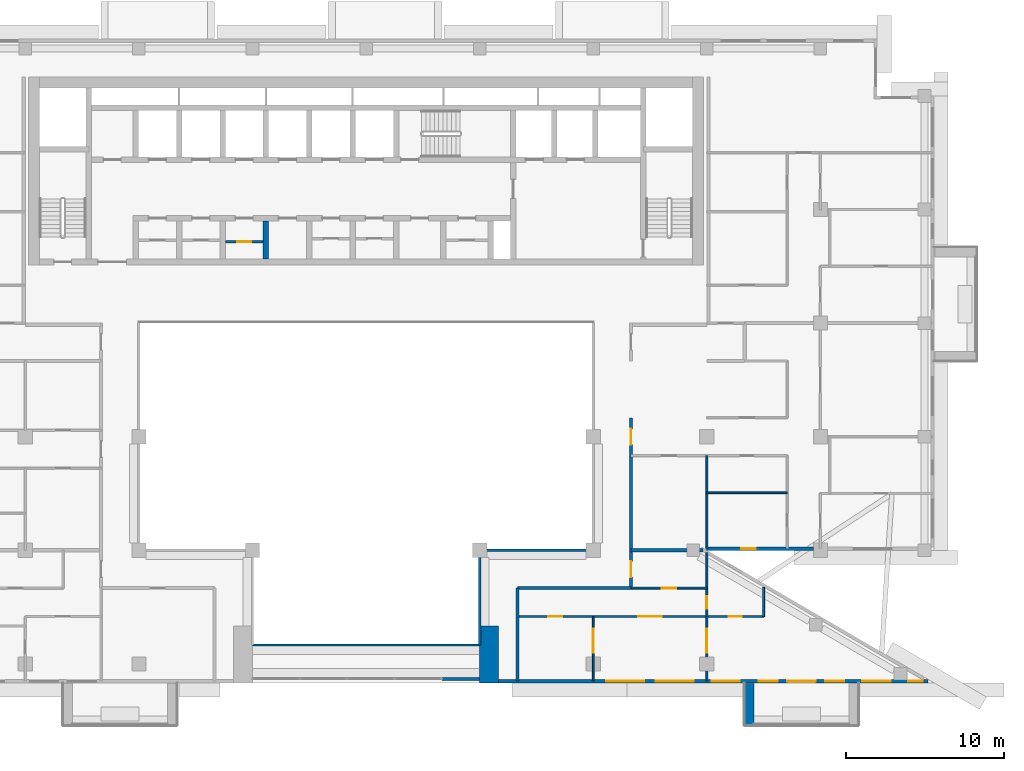
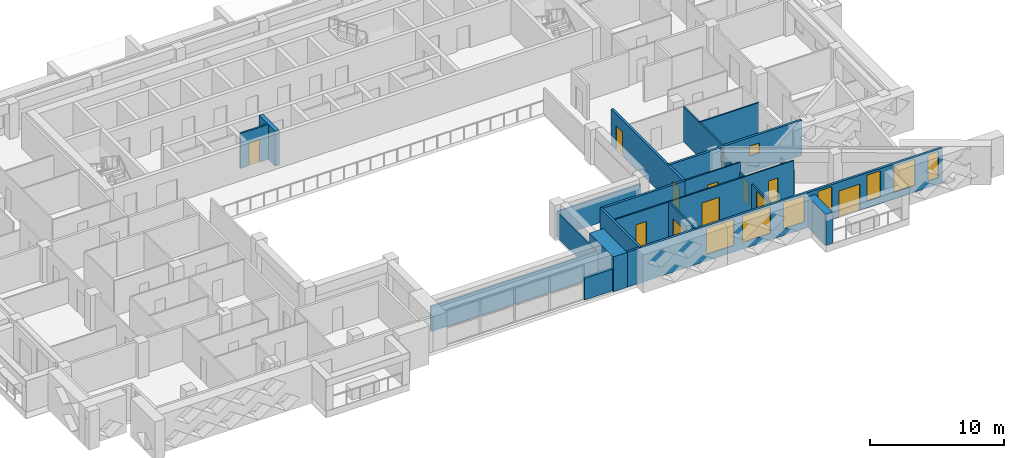
# One storey, part 8 of 20: 21 walls, 11 doors, 8 windows, 19 openings.
"""IFC4 building model written with IfcOpenShell, lengths in metres."""

import ifcopenshell
import ifcopenshell.guid

model = None  # the IFC model being written
_history = None  # IfcOwnerHistory: only IFC2X3 demands one
_inside = {}  # id of a spatial element -> (the spatial element, [elements in it])
_under = {}  # id of a project, library or spatial element -> (it, [spatial elements below it])
_declared = {}  # id of a project -> (the project, [libraries it declares])
_typed = {}  # id of a type object -> (the type object, [elements of that type])
_made_of = {}  # id of a material, layer set ... -> (it, [elements and type objects made of it])


def new_model(schema):
    """Start an empty IFC model of exactly this schema.

    Asked for "IFC4X3", IfcOpenShell would pick the latest addendum, in which some entities
    have other attributes; the version numbers below select the first issue.
    IFC2X3 requires an IfcOwnerHistory on every rooted entity: one is made here for all.
    """
    global model, _history
    if schema == "IFC4X3":
        model = ifcopenshell.file(schema_version=(4, 3, 0, 0))
    else:
        model = ifcopenshell.file(schema=schema)
    _inside.clear()
    _under.clear()
    _declared.clear()
    _typed.clear()
    _made_of.clear()
    _history = None
    if model.schema == "IFC2X3":
        org = make("IfcOrganization", Name="unknown")
        user = make(
            "IfcPersonAndOrganization",
            ThePerson=make("IfcPerson", FamilyName="unknown"),
            TheOrganization=org,
        )
        app = make(
            "IfcApplication",
            ApplicationDeveloper=org,
            Version="unknown",
            ApplicationFullName="unknown",
            ApplicationIdentifier="unknown",
        )
        _history = make(
            "IfcOwnerHistory",
            OwningUser=user,
            OwningApplication=app,
            ChangeAction="ADDED",
            CreationDate=0,
        )
    return model


def make(cls, **values):
    """One entity of the class cls with the attributes given. An attribute that is None is left unset."""
    return model.create_entity(
        cls, **{name: value for name, value in values.items() if value is not None}
    )


def rooted(cls, **values):
    """An entity with a GlobalId (a new one), such as an element, a storey or a relation."""
    return make(cls, GlobalId=ifcopenshell.guid.new(), OwnerHistory=_history, **values)


def si_unit(unit_type, name, prefix=None):
    """IfcSIUnit, for example si_unit("LENGTHUNIT", "METRE", prefix="MILLI")."""
    return make("IfcSIUnit", UnitType=unit_type, Prefix=prefix, Name=name)


def assignment(units):
    """IfcUnitAssignment: the units of a project."""
    return None if units is None else make("IfcUnitAssignment", Units=units)


def point(xyz):
    """IfcCartesianPoint."""
    return None if xyz is None else make("IfcCartesianPoint", Coordinates=xyz)


def direction(xyz):
    """IfcDirection."""
    return None if xyz is None else make("IfcDirection", DirectionRatios=xyz)


def frame(location, z_axis=None, x_axis=None):
    """IfcAxis2Placement3D, a coordinate frame: its origin and axes. An axis left out is left unset."""
    return make(
        "IfcAxis2Placement3D",
        Location=point(location),
        Axis=direction(z_axis),
        RefDirection=direction(x_axis),
    )


def frame_2d(location, x_axis=None):
    """IfcAxis2Placement2D, a coordinate frame in the plane: its origin and x axis."""
    return make(
        "IfcAxis2Placement2D", Location=point(location), RefDirection=direction(x_axis)
    )


def origin():
    """The frame at (0, 0, 0) with its axes left unset."""
    return frame((0.0, 0.0, 0.0))


def place(relative_to, where):
    """IfcLocalPlacement: puts the frame where relative to a parent placement (None: the world)."""
    return make(
        "IfcLocalPlacement", PlacementRelTo=relative_to, RelativePlacement=where
    )


def context(
    kind, dimensions, precision=None, world=None, true_north=None, identifier=None
):
    """IfcGeometricRepresentationContext, for example the 3D "Model" context."""
    return make(
        "IfcGeometricRepresentationContext",
        ContextIdentifier=identifier,
        ContextType=kind,
        CoordinateSpaceDimension=dimensions,
        Precision=precision,
        WorldCoordinateSystem=world,
        TrueNorth=true_north,
    )


def subcontext(parent, identifier, kind, view, scale=None):
    """IfcGeometricRepresentationSubContext, for example "Body" below "Model"."""
    return make(
        "IfcGeometricRepresentationSubContext",
        ContextIdentifier=identifier,
        ContextType=kind,
        ParentContext=parent,
        TargetScale=scale,
        TargetView=view,
    )


def project(units=None, contexts=None):
    """IfcProject with its units and contexts."""
    return rooted(
        "IfcProject",
        Name="project",
        RepresentationContexts=contexts,
        UnitsInContext=assignment(units),
    )


def spatial(cls, under=None, at=None, **own):
    """A site, building, storey or space (cls), placed at a placement, below another one or the project."""
    s = rooted(cls, ObjectPlacement=at, **own)
    if under is not None:
        _under.setdefault(under.id(), (under, []))[1].append(s)
    return s


def profile(cls, at=None, kind="AREA", **sizes):
    """A parametric profile (cls). Its sizes go by their IFC names, for example OverallWidth=200.0."""
    return make(cls, ProfileType=kind, Position=at, **sizes)


def rectangle(**sizes):
    """IfcRectangleProfileDef."""
    return profile("IfcRectangleProfileDef", **sizes)


def extrude(swept, where, along, depth):
    """IfcExtrudedAreaSolid: the profile swept, set in the frame where, extruded along a direction by depth."""
    return make(
        "IfcExtrudedAreaSolid",
        SweptArea=swept,
        Position=where,
        ExtrudedDirection=direction(along),
        Depth=depth,
    )


def shape(context_of_items, identifier, shape_type, items):
    """IfcShapeRepresentation: the items that make up one representation, for example the "Body"."""
    return make(
        "IfcShapeRepresentation",
        ContextOfItems=context_of_items,
        RepresentationIdentifier=identifier,
        RepresentationType=shape_type,
        Items=items,
    )


def material(Name=None, Category=None):
    """IfcMaterial."""
    return make("IfcMaterial", Name=Name, Category=Category)


def layer(
    of_material, thickness, ventilated=None, Name=None, Category=None, Priority=None
):
    """IfcMaterialLayer: one layer of a wall or slab, of a material (None: an air gap)."""
    return make(
        "IfcMaterialLayer",
        Material=of_material,
        LayerThickness=thickness,
        IsVentilated=ventilated,
        Name=Name,
        Category=Category,
        Priority=Priority,
    )


def layer_set(layers, Name=None):
    """IfcMaterialLayerSet."""
    return make("IfcMaterialLayerSet", MaterialLayers=layers, LayerSetName=Name)


def made_of(thing, what):
    """Note that an element or type object is made of a material, layer set ...; save() writes the relation."""
    if what is not None:
        _made_of.setdefault(what.id(), (what, []))[1].append(thing)
    return thing


def type_object(cls, material=None, **own):
    """A type object (cls), such as IfcWallType, which elements share."""
    return made_of(rooted(cls, **own), material)


def element(
    cls,
    number,
    at=None,
    inside=None,
    cuts=None,
    type_object=None,
    material=None,
    context=None,
    identifier="Body",
    shape_type=None,
    held_by="IfcProductDefinitionShape",
    body=None,
    shapes=None,
    **own,
):
    """One element of the class cls, such as IfcWall. Its Tag is "e" and its number.

    at: its placement. inside: the storey or other place that contains it. cuts: it is an
    opening in that element (IfcRelVoidsElement). A single representation is given by context,
    identifier, shape_type and body (its items); several are given by shapes. held_by: the class
    of the entity that holds the representations. save() writes the other relations.
    """
    e = rooted(cls, Tag="e%d" % number, ObjectPlacement=at, **own)
    if body is not None:
        shapes = [shape(context, identifier, shape_type, body)]
    if shapes is not None:
        e.Representation = make(held_by, Representations=shapes)
    if inside is not None:
        _inside.setdefault(inside.id(), (inside, []))[1].append(e)
    if cuts is not None:
        rooted(
            "IfcRelVoidsElement", RelatingBuildingElement=cuts, RelatedOpeningElement=e
        )
    if type_object is not None:
        _typed.setdefault(type_object.id(), (type_object, []))[1].append(e)
    return made_of(e, material)


def fill(opening, filler):
    """IfcRelFillsElement: the door or window that sits in an opening."""
    return rooted(
        "IfcRelFillsElement",
        RelatingOpeningElement=opening,
        RelatedBuildingElement=filler,
    )


def aggregate(whole, parts):
    """IfcRelAggregates: a whole, such as a stair, and the parts it consists of."""
    return rooted("IfcRelAggregates", RelatingObject=whole, RelatedObjects=parts)


def save(model, path):
    """Write the relations noted so far, then the file.

    IfcRelAggregates (storeys below a building ...), IfcRelContainedInSpatialStructure (elements
    in a storey), IfcRelDefinesByType, IfcRelAssociatesMaterial and IfcRelDeclares: one each for
    every whole, place, type object, material and project.
    """
    for whole, parts in _under.values():
        aggregate(whole, parts)
    for where, things in _inside.values():
        rooted(
            "IfcRelContainedInSpatialStructure",
            RelatedElements=things,
            RelatingStructure=where,
        )
    for kind, things in _typed.values():
        rooted("IfcRelDefinesByType", RelatedObjects=things, RelatingType=kind)
    for what, things in _made_of.values():
        rooted("IfcRelAssociatesMaterial", RelatedObjects=things, RelatingMaterial=what)
    for by, libraries in _declared.values():
        rooted("IfcRelDeclares", RelatingContext=by, RelatedDefinitions=libraries)
    model.write(path)


model = new_model("IFC4")

# Units and contexts
model_context = context("Model", 3, precision=1e-05, world=origin(), true_north=direction((0.0, 1.0)))
body_context = subcontext(model_context, "Body", "Model", "MODEL_VIEW")
ifc_project = project(units=[si_unit("LENGTHUNIT", "METRE"), si_unit("AREAUNIT", "SQUARE_METRE"), si_unit("VOLUMEUNIT", "CUBIC_METRE"), si_unit("PLANEANGLEUNIT", "RADIAN"), si_unit("MASSUNIT", "GRAM", prefix="KILO")], contexts=[model_context])

# Site, building, storey
site_placement = place(None, origin())
site = spatial("IfcSite", under=ifc_project, at=site_placement, CompositionType="ELEMENT")
building_placement = place(site_placement, origin())
building = spatial("IfcBuilding", under=site, at=building_placement, Name="Saffron Iwan Residences", CompositionType="ELEMENT")
storey_placement = place(building_placement, frame((0.0, 0.0, 195.5)))
storey = spatial("IfcBuildingStorey", under=building, at=storey_placement, Name="L52", CompositionType="ELEMENT", Elevation=195.5)

# Walls
ifc_material_1 = material(Name="Fire-rated glazing", Category="glass")
ifc_layer_1 = layer(ifc_material_1, 0.14990234375)
ifc_layer_set_1 = layer_set([ifc_layer_1], Name="Fire-rated glazing")
wall_type_1 = type_object("IfcWallType", Name="Atrium glazed screen 150", PredefinedType="SOLIDWALL", material=ifc_layer_set_1)
wall_1_placement = place(storey_placement, frame((43.199951171875, 42.0, 0.0), z_axis=(0.0, 0.0, 1.0), x_axis=(1.0, 0.0, 0.0)))
element("IfcWall", 1, at=wall_1_placement, inside=storey, type_object=wall_type_1, Name="W-L52-SCREEN-h42-43.2", PredefinedType="SOLIDWALL", context=body_context, shape_type="SweptSolid", body=[
    extrude(rectangle(XDim=14.400146484375, YDim=0.14990234375, at=frame_2d((7.2001953125, 0.0))), origin(), (0.0, 0.0, 1.0), 2.300048828125),
])
wall_2_placement = place(storey_placement, frame((57.60009765625, 48.0, 0.0), z_axis=(0.0, 0.0, 1.0), x_axis=(1.0, 0.0, 0.0)))
element("IfcWall", 2, at=wall_2_placement, inside=storey, type_object=wall_type_1, Name="W-L52-SCREEN-h48-57.6", PredefinedType="SOLIDWALL", context=body_context, shape_type="SweptSolid", body=[
    extrude(rectangle(XDim=7.199951171875, YDim=0.14990234375, at=frame_2d((3.60009765625, 0.0))), origin(), (0.0, 0.0, 1.0), 2.300048828125),
])
wall_3_placement = place(storey_placement, frame((57.60009765625, 42.0, 0.0), z_axis=(0.0, 0.0, 1.0), x_axis=(0.0, 1.0, 0.0)))
element("IfcWall", 3, at=wall_3_placement, inside=storey, type_object=wall_type_1, Name="W-L52-SCREEN-v57.6-42", PredefinedType="SOLIDWALL", context=body_context, shape_type="SweptSolid", body=[
    extrude(rectangle(XDim=6.0, YDim=0.14990234375, at=frame_2d((3.0, 0.0))), origin(), (0.0, 0.0, 1.0), 2.300048828125),
])
ifc_material_2 = material(Name="Concrete C50/60 white painted", Category="concrete")
ifc_layer_2 = layer(ifc_material_2, 0.60009765625)
ifc_layer_set_2 = layer_set([ifc_layer_2], Name="Concrete C50/60 white painted")
wall_type_2 = type_object("IfcWallType", Name="BALCONY FIN 600", PredefinedType="SOLIDWALL", material=ifc_layer_set_2)
wall_4_placement = place(storey_placement, frame((74.699951171875, 39.550048828125, 0.0), z_axis=(0.0, 0.0, 1.0), x_axis=(0.0, -1.0, 0.0)))
element("IfcWall", 4, at=wall_4_placement, inside=storey, type_object=wall_type_2, Name="Balcony fin L52 11-2a", PredefinedType="SOLIDWALL", context=body_context, shape_type="SweptSolid", body=[
    extrude(rectangle(XDim=2.650146484375, YDim=0.60009765625, at=frame_2d((1.3251953125, 0.0))), origin(), (0.0, 0.0, 1.0), 2.85009765625),
])

# Wall, opening, door
ifc_material_3 = material(Name="Fire-rated plasterboard partition")
ifc_layer_3 = layer(ifc_material_3, 0.14990234375)
ifc_layer_set_3 = layer_set([ifc_layer_3], Name="Fire-rated plasterboard partition")
wall_type_3 = type_object("IfcWallType", Name="Core partition 150", PredefinedType="PARTITIONING", material=ifc_layer_set_3)
wall_5_placement = place(storey_placement, frame((41.47509765625, 67.5654296875, 0.0), z_axis=(0.0, 0.0, 1.0), x_axis=(1.0, 0.0, 0.0)))
wall_5 = element("IfcWall", 5, at=wall_5_placement, inside=storey, type_object=wall_type_3, Name="Core partition P03", PredefinedType="PARTITIONING", context=body_context, shape_type="SweptSolid", body=[
    extrude(rectangle(XDim=2.39990234375, YDim=0.14990234375, at=frame_2d((1.199951171875, 0.0))), origin(), (0.0, 0.0, 1.0), 3.199951171875),
])
opening_1_placement = place(wall_5_placement, frame((0.75, 0.0, 0.0)))
opening_1 = element("IfcOpeningElement", 6, at=opening_1_placement, cuts=wall_5, Name="Opening SB", PredefinedType="OPENING", context=body_context, shape_type="SweptSolid", body=[
    extrude(rectangle(XDim=0.89990234375, YDim=2.10009765625, at=frame_2d((0.449951171875, 1.050048828125))), frame((0.0, 0.0849609375, 0.0), z_axis=(0.0, -1.0, 0.0), x_axis=(1.0, 0.0, 0.0)), (0.0, 0.0, 1.0), 0.169921875),
])
ifc_material_4 = material(Name="Steel fire door", Category="steel")
door_type_1 = type_object("IfcDoorType", Name="Store door 900", OperationType="NOTDEFINED", PredefinedType="DOOR", material=ifc_material_4)
door_1_placement = place(opening_1_placement, origin())
door_1 = element("IfcDoor", 7, at=door_1_placement, inside=storey, type_object=door_type_1, Name="Door Records store", OperationType="SINGLE_SWING_RIGHT", OverallHeight=2.10009765625, OverallWidth=0.89990234375, PredefinedType="DOOR", context=body_context, shape_type="SweptSolid", body=[
    extrude(rectangle(XDim=0.89990234375, YDim=2.10009765625, at=frame_2d((0.449951171875, 1.050048828125))), frame((0.0, 0.02490234375, 0.0), z_axis=(0.0, -1.0, 0.0), x_axis=(1.0, 0.0, 0.0)), (0.0, 0.0, 1.0), 0.050048828125),
])
fill(opening_1, door_1)

# Wall, opening, window
ifc_material_5 = material(Name="Concrete C40/50", Category="concrete")
ifc_layer_4 = layer(ifc_material_5, 0.199951171875)
ifc_layer_set_4 = layer_set([ifc_layer_4], Name="Concrete C40/50")
wall_type_4 = type_object("IfcWallType", Name="EXTERNAL WALL 200", PredefinedType="SOLIDWALL", material=ifc_layer_set_4)
wall_6_placement = place(storey_placement, frame((71.989990234375, 48.10009765625, 0.0), z_axis=(0.0, 0.0, 1.0), x_axis=(1.0, 0.0, 0.0)))
wall_6 = element("IfcWall", 8, at=wall_6_placement, inside=storey, type_object=wall_type_4, Name="External wall L52 F1.0", PredefinedType="SOLIDWALL", context=body_context, shape_type="SweptSolid", body=[
    extrude(rectangle(XDim=6.760009765625, YDim=0.199951171875, at=frame_2d((3.3798828125, 0.0))), origin(), (0.0, 0.0, 1.0), 3.199951171875),
])
opening_2_placement = place(wall_6_placement, frame((2.204833984375, 0.0, 1.5)))
opening_2 = element("IfcOpeningElement", 9, at=opening_2_placement, cuts=wall_6, Name="Opening W6", PredefinedType="OPENING", context=body_context, shape_type="SweptSolid", body=[
    extrude(rectangle(XDim=0.89990234375, YDim=0.89990234375, at=frame_2d((0.449951171875, 0.449951171875))), frame((0.0, 0.10986328125, 0.0), z_axis=(0.0, -1.0, 0.0), x_axis=(1.0, 0.0, 0.0)), (0.0, 0.0, 1.0), 0.219970703125),
])
ifc_material_6 = material(Name="Clear glass, laminated double glazed", Category="glass")
window_type_1 = type_object("IfcWindowType", Name="WINDOW 900 x 900 BATH", PartitioningType="SINGLE_PANEL", PredefinedType="WINDOW", material=ifc_material_6)
window_1_placement = place(opening_2_placement, origin())
window_1 = element("IfcWindow", 10, at=window_1_placement, inside=storey, type_object=window_type_1, Name="Window L52 F1.0", OverallHeight=0.89990234375, OverallWidth=0.89990234375, PartitioningType="SINGLE_PANEL", PredefinedType="WINDOW", context=body_context, shape_type="SweptSolid", body=[
    extrude(rectangle(XDim=0.89990234375, YDim=0.89990234375, at=frame_2d((0.449951171875, 0.449951171875))), frame((0.0, 0.030029296875, 0.0), z_axis=(0.0, -1.0, 0.0), x_axis=(1.0, 0.0, 0.0)), (0.0, 0.0, 1.0), 0.06005859375),
])
fill(opening_2, window_1)

# Wall, openings, door, windows
wall_7_placement = place(storey_placement, frame((58.800048828125, 39.699951171875, 0.0), z_axis=(0.0, 0.0, 1.0), x_axis=(1.0, 0.0, 0.0)))
wall_7 = element("IfcWall", 11, at=wall_7_placement, inside=storey, type_object=wall_type_4, Name="External wall L52 F11.1", PredefinedType="SOLIDWALL", context=body_context, shape_type="SweptSolid", body=[
    extrude(rectangle(XDim=27.22998046875, YDim=0.199951171875, at=frame_2d((13.614990234375, 0.0))), origin(), (0.0, 0.0, 1.0), 3.199951171875),
])
opening_3_placement = place(wall_7_placement, frame((18.300048828125, 0.0, 0.0)))
opening_3 = element("IfcOpeningElement", 12, at=opening_3_placement, cuts=wall_7, Name="Opening BD1", PredefinedType="OPENING", context=body_context, shape_type="SweptSolid", body=[
    extrude(rectangle(XDim=1.800048828125, YDim=2.39990234375, at=frame_2d((0.89990234375, 1.199951171875))), frame((0.0, 0.10986328125, 0.0), z_axis=(0.0, -1.0, 0.0), x_axis=(1.0, 0.0, 0.0)), (0.0, 0.0, 1.0), 0.219970703125),
])
opening_4_placement = place(wall_7_placement, frame((6.833251953125, 0.0, 0.60009765625)))
opening_4 = element("IfcOpeningElement", 13, at=opening_4_placement, cuts=wall_7, Name="Opening W1", PredefinedType="OPENING", context=body_context, shape_type="SweptSolid", body=[
    extrude(rectangle(XDim=2.39990234375, YDim=2.39990234375, at=frame_2d((1.199951171875, 1.199951171875))), frame((0.0, 0.10986328125, 0.0), z_axis=(0.0, -1.0, 0.0), x_axis=(1.0, 0.0, 0.0)), (0.0, 0.0, 1.0), 0.219970703125),
])
opening_5_placement = place(wall_7_placement, frame((9.966796875, 0.0, 0.60009765625)))
opening_5 = element("IfcOpeningElement", 14, at=opening_5_placement, cuts=wall_7, Name="Opening W1", PredefinedType="OPENING", context=body_context, shape_type="SweptSolid", body=[
    extrude(rectangle(XDim=2.39990234375, YDim=2.39990234375, at=frame_2d((1.199951171875, 1.199951171875))), frame((0.0, 0.10986328125, 0.0), z_axis=(0.0, -1.0, 0.0), x_axis=(1.0, 0.0, 0.0)), (0.0, 0.0, 1.0), 0.219970703125),
])
opening_6_placement = place(wall_7_placement, frame((13.5, 0.0, 0.60009765625)))
opening_6 = element("IfcOpeningElement", 15, at=opening_6_placement, cuts=wall_7, Name="Opening W8", PredefinedType="OPENING", context=body_context, shape_type="SweptSolid", body=[
    extrude(rectangle(XDim=1.800048828125, YDim=2.39990234375, at=frame_2d((0.89990234375, 1.199951171875))), frame((0.0, 0.10986328125, 0.0), z_axis=(0.0, -1.0, 0.0), x_axis=(1.0, 0.0, 0.0)), (0.0, 0.0, 1.0), 0.219970703125),
])
opening_7_placement = place(wall_7_placement, frame((16.5, 0.0, 0.60009765625)))
opening_7 = element("IfcOpeningElement", 16, at=opening_7_placement, cuts=wall_7, Name="Opening W3", PredefinedType="OPENING", context=body_context, shape_type="SweptSolid", body=[
    extrude(rectangle(XDim=1.199951171875, YDim=2.39990234375, at=frame_2d((0.60009765625, 1.199951171875))), frame((0.0, 0.10986328125, 0.0), z_axis=(0.0, -1.0, 0.0), x_axis=(1.0, 0.0, 0.0)), (0.0, 0.0, 1.0), 0.219970703125),
])
opening_8_placement = place(wall_7_placement, frame((20.699951171875, 0.0, 0.60009765625)))
opening_8 = element("IfcOpeningElement", 17, at=opening_8_placement, cuts=wall_7, Name="Opening W3", PredefinedType="OPENING", context=body_context, shape_type="SweptSolid", body=[
    extrude(rectangle(XDim=1.199951171875, YDim=2.39990234375, at=frame_2d((0.60009765625, 1.199951171875))), frame((0.0, 0.10986328125, 0.0), z_axis=(0.0, -1.0, 0.0), x_axis=(1.0, 0.0, 0.0)), (0.0, 0.0, 1.0), 0.219970703125),
])
opening_9_placement = place(wall_7_placement, frame((23.06298828125, 0.0, 0.60009765625)))
opening_9 = element("IfcOpeningElement", 18, at=opening_9_placement, cuts=wall_7, Name="Opening W8", PredefinedType="OPENING", context=body_context, shape_type="SweptSolid", body=[
    extrude(rectangle(XDim=1.800048828125, YDim=2.39990234375, at=frame_2d((0.89990234375, 1.199951171875))), frame((0.0, 0.10986328125, 0.0), z_axis=(0.0, -1.0, 0.0), x_axis=(1.0, 0.0, 0.0)), (0.0, 0.0, 1.0), 0.219970703125),
])
opening_10_placement = place(wall_7_placement, frame((25.978271484375, 0.0, 0.60009765625)))
opening_10 = element("IfcOpeningElement", 19, at=opening_10_placement, cuts=wall_7, Name="Opening W10", PredefinedType="OPENING", context=body_context, shape_type="SweptSolid", body=[
    extrude(rectangle(XDim=0.89990234375, YDim=2.39990234375, at=frame_2d((0.449951171875, 1.199951171875))), frame((0.0, 0.10986328125, 0.0), z_axis=(0.0, -1.0, 0.0), x_axis=(1.0, 0.0, 0.0)), (0.0, 0.0, 1.0), 0.219970703125),
])
door_type_2 = type_object("IfcDoorType", Name="BALCONY DOOR 1800 x 2400", OperationType="DOUBLE_DOOR_SLIDING", PredefinedType="DOOR", material=ifc_material_6)
door_2_placement = place(opening_3_placement, origin())
door_2 = element("IfcDoor", 20, at=door_2_placement, inside=storey, type_object=door_type_2, Name="Balcony door L52 F11.0", OperationType="DOUBLE_DOOR_SLIDING", OverallHeight=2.39990234375, OverallWidth=1.800048828125, PredefinedType="DOOR", context=body_context, shape_type="SweptSolid", body=[
    extrude(rectangle(XDim=1.800048828125, YDim=2.39990234375, at=frame_2d((0.89990234375, 1.199951171875))), frame((0.0, 0.02490234375, 0.0), z_axis=(0.0, -1.0, 0.0), x_axis=(1.0, 0.0, 0.0)), (0.0, 0.0, 1.0), 0.050048828125),
])
fill(opening_3, door_2)
window_type_2 = type_object("IfcWindowType", Name="WINDOW 1200 x 2400", PartitioningType="SINGLE_PANEL", PredefinedType="WINDOW", material=ifc_material_6)
window_2_placement = place(opening_7_placement, origin())
window_2 = element("IfcWindow", 21, at=window_2_placement, inside=storey, type_object=window_type_2, Name="Window L52 F11.4", OverallHeight=2.39990234375, OverallWidth=1.199951171875, PartitioningType="SINGLE_PANEL", PredefinedType="WINDOW", context=body_context, shape_type="SweptSolid", body=[
    extrude(rectangle(XDim=1.199951171875, YDim=2.39990234375, at=frame_2d((0.60009765625, 1.199951171875))), frame((0.0, 0.030029296875, 0.0), z_axis=(0.0, -1.0, 0.0), x_axis=(1.0, 0.0, 0.0)), (0.0, 0.0, 1.0), 0.06005859375),
])
fill(opening_7, window_2)
window_3_placement = place(opening_8_placement, origin())
window_3 = element("IfcWindow", 22, at=window_3_placement, inside=storey, type_object=window_type_2, Name="Window L52 F11.5", OverallHeight=2.39990234375, OverallWidth=1.199951171875, PartitioningType="SINGLE_PANEL", PredefinedType="WINDOW", context=body_context, shape_type="SweptSolid", body=[
    extrude(rectangle(XDim=1.199951171875, YDim=2.39990234375, at=frame_2d((0.60009765625, 1.199951171875))), frame((0.0, 0.030029296875, 0.0), z_axis=(0.0, -1.0, 0.0), x_axis=(1.0, 0.0, 0.0)), (0.0, 0.0, 1.0), 0.06005859375),
])
fill(opening_8, window_3)
window_type_3 = type_object("IfcWindowType", Name="WINDOW 1800 x 2400", PartitioningType="DOUBLE_PANEL_VERTICAL", PredefinedType="WINDOW", material=ifc_material_6)
window_4_placement = place(opening_6_placement, origin())
window_4 = element("IfcWindow", 23, at=window_4_placement, inside=storey, type_object=window_type_3, Name="Window L52 F11.3", OverallHeight=2.39990234375, OverallWidth=1.800048828125, PartitioningType="DOUBLE_PANEL_VERTICAL", PredefinedType="WINDOW", context=body_context, shape_type="SweptSolid", body=[
    extrude(rectangle(XDim=1.800048828125, YDim=2.39990234375, at=frame_2d((0.89990234375, 1.199951171875))), frame((0.0, 0.030029296875, 0.0), z_axis=(0.0, -1.0, 0.0), x_axis=(1.0, 0.0, 0.0)), (0.0, 0.0, 1.0), 0.06005859375),
])
fill(opening_6, window_4)
window_5_placement = place(opening_9_placement, origin())
window_5 = element("IfcWindow", 24, at=window_5_placement, inside=storey, type_object=window_type_3, Name="Window L52 F11.6", OverallHeight=2.39990234375, OverallWidth=1.800048828125, PartitioningType="DOUBLE_PANEL_VERTICAL", PredefinedType="WINDOW", context=body_context, shape_type="SweptSolid", body=[
    extrude(rectangle(XDim=1.800048828125, YDim=2.39990234375, at=frame_2d((0.89990234375, 1.199951171875))), frame((0.0, 0.030029296875, 0.0), z_axis=(0.0, -1.0, 0.0), x_axis=(1.0, 0.0, 0.0)), (0.0, 0.0, 1.0), 0.06005859375),
])
fill(opening_9, window_5)
window_type_4 = type_object("IfcWindowType", Name="WINDOW 2400 x 2400", PartitioningType="DOUBLE_PANEL_VERTICAL", PredefinedType="WINDOW", material=ifc_material_6)
window_6_placement = place(opening_4_placement, origin())
window_6 = element("IfcWindow", 25, at=window_6_placement, inside=storey, type_object=window_type_4, Name="Window L52 F11.1", OverallHeight=2.39990234375, OverallWidth=2.39990234375, PartitioningType="DOUBLE_PANEL_VERTICAL", PredefinedType="WINDOW", context=body_context, shape_type="SweptSolid", body=[
    extrude(rectangle(XDim=2.39990234375, YDim=2.39990234375, at=frame_2d((1.199951171875, 1.199951171875))), frame((0.0, 0.030029296875, 0.0), z_axis=(0.0, -1.0, 0.0), x_axis=(1.0, 0.0, 0.0)), (0.0, 0.0, 1.0), 0.06005859375),
])
fill(opening_4, window_6)
window_7_placement = place(opening_5_placement, origin())
window_7 = element("IfcWindow", 26, at=window_7_placement, inside=storey, type_object=window_type_4, Name="Window L52 F11.2", OverallHeight=2.39990234375, OverallWidth=2.39990234375, PartitioningType="DOUBLE_PANEL_VERTICAL", PredefinedType="WINDOW", context=body_context, shape_type="SweptSolid", body=[
    extrude(rectangle(XDim=2.39990234375, YDim=2.39990234375, at=frame_2d((1.199951171875, 1.199951171875))), frame((0.0, 0.030029296875, 0.0), z_axis=(0.0, -1.0, 0.0), x_axis=(1.0, 0.0, 0.0)), (0.0, 0.0, 1.0), 0.06005859375),
])
fill(opening_5, window_7)
window_type_5 = type_object("IfcWindowType", Name="WINDOW 900 x 2400", PartitioningType="SINGLE_PANEL", PredefinedType="WINDOW", material=ifc_material_6)
window_8_placement = place(opening_10_placement, origin())
window_8 = element("IfcWindow", 27, at=window_8_placement, inside=storey, type_object=window_type_5, Name="Window L52 F11.7", OverallHeight=2.39990234375, OverallWidth=0.89990234375, PartitioningType="SINGLE_PANEL", PredefinedType="WINDOW", context=body_context, shape_type="SweptSolid", body=[
    extrude(rectangle(XDim=0.89990234375, YDim=2.39990234375, at=frame_2d((0.449951171875, 1.199951171875))), frame((0.0, 0.030029296875, 0.0), z_axis=(0.0, -1.0, 0.0), x_axis=(1.0, 0.0, 0.0)), (0.0, 0.0, 1.0), 0.06005859375),
])
fill(opening_10, window_8)

# Walls
wall_8_placement = place(storey_placement, frame((55.199951171875, 39.85009765625, 0.0), z_axis=(0.0, 0.0, 1.0), x_axis=(1.0, 0.0, 0.0)))
element("IfcWall", 28, at=wall_8_placement, inside=storey, type_object=wall_type_4, Name="External wall infill CWB-L52-0", PredefinedType="SOLIDWALL", context=body_context, shape_type="SweptSolid", body=[
    extrude(rectangle(XDim=2.400146484375, YDim=0.199951171875, at=frame_2d((1.2001953125, 0.0))), origin(), (0.0, 0.0, 1.0), 2.0),
])
ifc_material_7 = material(Name="Fire-rated gypsum board wall")
ifc_layer_5 = layer(ifc_material_7, 0.199951171875)
ifc_layer_set_5 = layer_set([ifc_layer_5], Name="Fire-rated gypsum board wall")
wall_type_5 = type_object("IfcWallType", Name="Flat demising wall 200", PredefinedType="SOLIDWALL", material=ifc_layer_set_5)
wall_9_placement = place(storey_placement, frame((67.199951171875, 48.0, 0.0), z_axis=(0.0, 0.0, 1.0), x_axis=(1.0, 0.0, 0.0)))
element("IfcWall", 29, at=wall_9_placement, inside=storey, type_object=wall_type_5, Name="W-L52-DEMISE-h48-67.2", PredefinedType="SOLIDWALL", context=body_context, shape_type="SweptSolid", body=[
    extrude(rectangle(XDim=4.552001953125, YDim=0.199951171875, at=frame_2d((2.27587890625, 0.0))), origin(), (0.0, 0.0, 1.0), 3.199951171875),
])

# Wall, openings, doors
ifc_material_8 = material(Name="Gypsum board partition")
ifc_layer_6 = layer(ifc_material_8, 0.1201171875)
ifc_layer_set_6 = layer_set([ifc_layer_6], Name="Gypsum board partition")
wall_type_6 = type_object("IfcWallType", Name="Flat partition 120", PredefinedType="PARTITIONING", material=ifc_layer_set_6)
wall_10_placement = place(storey_placement, frame((60.0, 43.800048828125, 0.0), z_axis=(0.0, 0.0, 1.0), x_axis=(1.0, 0.0, 0.0)))
wall_10 = element("IfcWall", 30, at=wall_10_placement, inside=storey, type_object=wall_type_6, Name="W-L52-PART-h43.8-60", PredefinedType="PARTITIONING", context=body_context, shape_type="SweptSolid", body=[
    extrude(rectangle(XDim=15.60009765625, YDim=0.1201171875, at=frame_2d((7.800048828125, 0.0))), origin(), (0.0, 0.0, 1.0), 3.199951171875),
])
opening_11_placement = place(wall_10_placement, frame((7.64990234375, 0.0, 0.0)))
opening_11 = element("IfcOpeningElement", 31, at=opening_11_placement, cuts=wall_10, Name="Opening FD4", PredefinedType="OPENING", context=body_context, shape_type="SweptSolid", body=[
    extrude(rectangle(XDim=1.5, YDim=2.10009765625, at=frame_2d((0.75, 1.050048828125))), frame((0.0, 0.070068359375, 0.0), z_axis=(0.0, -1.0, 0.0), x_axis=(1.0, 0.0, 0.0)), (0.0, 0.0, 1.0), 0.14013671875),
])
opening_12_placement = place(wall_10_placement, frame((1.949951171875, 0.0, 0.0)))
opening_12 = element("IfcOpeningElement", 32, at=opening_12_placement, cuts=wall_10, Name="Opening FD2", PredefinedType="OPENING", context=body_context, shape_type="SweptSolid", body=[
    extrude(rectangle(XDim=0.89990234375, YDim=2.10009765625, at=frame_2d((0.449951171875, 1.050048828125))), frame((0.0, 0.070068359375, 0.0), z_axis=(0.0, -1.0, 0.0), x_axis=(1.0, 0.0, 0.0)), (0.0, 0.0, 1.0), 0.14013671875),
])
opening_13_placement = place(wall_10_placement, frame((13.39990234375, 0.0, 0.0)))
opening_13 = element("IfcOpeningElement", 33, at=opening_13_placement, cuts=wall_10, Name="Opening FD3", PredefinedType="OPENING", context=body_context, shape_type="SweptSolid", body=[
    extrude(rectangle(XDim=0.800048828125, YDim=2.10009765625, at=frame_2d((0.39990234375, 1.050048828125))), frame((0.0, 0.070068359375, 0.0), z_axis=(0.0, -1.0, 0.0), x_axis=(1.0, 0.0, 0.0)), (0.0, 0.0, 1.0), 0.14013671875),
])
ifc_material_9 = material(Name="Timber door", Category="wood")
door_type_3 = type_object("IfcDoorType", Name="Bathroom door 800", OperationType="NOTDEFINED", PredefinedType="DOOR", material=ifc_material_9)
door_3_placement = place(opening_13_placement, origin())
door_3 = element("IfcDoor", 34, at=door_3_placement, inside=storey, type_object=door_type_3, Name="Door L52-047", OperationType="SINGLE_SWING_LEFT", OverallHeight=2.10009765625, OverallWidth=0.800048828125, PredefinedType="DOOR", context=body_context, shape_type="SweptSolid", body=[
    extrude(rectangle(XDim=0.800048828125, YDim=2.10009765625, at=frame_2d((0.39990234375, 1.050048828125))), frame((0.0, 0.02490234375, 0.0), z_axis=(0.0, -1.0, 0.0), x_axis=(1.0, 0.0, 0.0)), (0.0, 0.0, 1.0), 0.050048828125),
])
fill(opening_13, door_3)
door_type_4 = type_object("IfcDoorType", Name="Double door 1500", OperationType="NOTDEFINED", PredefinedType="DOOR", material=ifc_material_9)
door_4_placement = place(opening_11_placement, origin())
door_4 = element("IfcDoor", 35, at=door_4_placement, inside=storey, type_object=door_type_4, Name="Door L52-043", OperationType="SINGLE_SWING_LEFT", OverallHeight=2.10009765625, OverallWidth=1.5, PredefinedType="DOOR", context=body_context, shape_type="SweptSolid", body=[
    extrude(rectangle(XDim=1.5, YDim=2.10009765625, at=frame_2d((0.75, 1.050048828125))), frame((0.0, 0.02490234375, 0.0), z_axis=(0.0, -1.0, 0.0), x_axis=(1.0, 0.0, 0.0)), (0.0, 0.0, 1.0), 0.050048828125),
])
fill(opening_11, door_4)
door_type_5 = type_object("IfcDoorType", Name="Flat door 900", OperationType="NOTDEFINED", PredefinedType="DOOR", material=ifc_material_9)
door_5_placement = place(opening_12_placement, origin())
door_5 = element("IfcDoor", 36, at=door_5_placement, inside=storey, type_object=door_type_5, Name="Door L52-044", OperationType="SINGLE_SWING_LEFT", OverallHeight=2.10009765625, OverallWidth=0.89990234375, PredefinedType="DOOR", context=body_context, shape_type="SweptSolid", body=[
    extrude(rectangle(XDim=0.89990234375, YDim=2.10009765625, at=frame_2d((0.449951171875, 1.050048828125))), frame((0.0, 0.02490234375, 0.0), z_axis=(0.0, -1.0, 0.0), x_axis=(1.0, 0.0, 0.0)), (0.0, 0.0, 1.0), 0.050048828125),
])
fill(opening_12, door_5)

# Wall, opening, door
wall_11_placement = place(storey_placement, frame((67.199951171875, 45.60009765625, 0.0), z_axis=(0.0, 0.0, 1.0), x_axis=(1.0, 0.0, 0.0)))
wall_11 = element("IfcWall", 37, at=wall_11_placement, inside=storey, type_object=wall_type_6, Name="W-L52-PART-h45.6-67.2", PredefinedType="PARTITIONING", context=body_context, shape_type="SweptSolid", body=[
    extrude(rectangle(XDim=4.800048828125, YDim=0.1201171875, at=frame_2d((2.39990234375, 0.0))), origin(), (0.0, 0.0, 1.0), 3.199951171875),
])
opening_14_placement = place(wall_11_placement, frame((1.949951171875, 0.0, 0.0)))
opening_14 = element("IfcOpeningElement", 38, at=opening_14_placement, cuts=wall_11, Name="Opening FD2", PredefinedType="OPENING", context=body_context, shape_type="SweptSolid", body=[
    extrude(rectangle(XDim=0.89990234375, YDim=2.10009765625, at=frame_2d((0.449951171875, 1.050048828125))), frame((0.0, 0.070068359375, 0.0), z_axis=(0.0, -1.0, 0.0), x_axis=(1.0, 0.0, 0.0)), (0.0, 0.0, 1.0), 0.14013671875),
])
door_6_placement = place(opening_14_placement, origin())
door_6 = element("IfcDoor", 39, at=door_6_placement, inside=storey, type_object=door_type_5, Name="Door L52-041", OperationType="SINGLE_SWING_LEFT", OverallHeight=2.10009765625, OverallWidth=0.89990234375, PredefinedType="DOOR", context=body_context, shape_type="SweptSolid", body=[
    extrude(rectangle(XDim=0.89990234375, YDim=2.10009765625, at=frame_2d((0.449951171875, 1.050048828125))), frame((0.0, 0.02490234375, 0.0), z_axis=(0.0, -1.0, 0.0), x_axis=(1.0, 0.0, 0.0)), (0.0, 0.0, 1.0), 0.050048828125),
])
fill(opening_14, door_6)

# Wall
wall_12_placement = place(storey_placement, frame((72.0, 51.64990234375, 0.0), z_axis=(0.0, 0.0, 1.0), x_axis=(1.0, 0.0, 0.0)))
element("IfcWall", 40, at=wall_12_placement, inside=storey, type_object=wall_type_6, Name="W-L52-PART-h51.65-72", PredefinedType="PARTITIONING", context=body_context, shape_type="SweptSolid", body=[
    extrude(rectangle(XDim=5.10009765625, YDim=0.1201171875, at=frame_2d((2.550048828125, 0.0))), origin(), (0.0, 0.0, 1.0), 3.199951171875),
])

# Wall, opening, door
wall_13_placement = place(storey_placement, frame((64.800048828125, 39.72509765625, 0.0), z_axis=(0.0, 0.0, 1.0), x_axis=(0.0, 1.0, 0.0)))
wall_13 = element("IfcWall", 41, at=wall_13_placement, inside=storey, type_object=wall_type_6, Name="W-L52-PART-v64.8-39.725", PredefinedType="PARTITIONING", context=body_context, shape_type="SweptSolid", body=[
    extrude(rectangle(XDim=4.074951171875, YDim=0.1201171875, at=frame_2d((2.03759765625, 0.0))), origin(), (0.0, 0.0, 1.0), 3.199951171875),
])
opening_15_placement = place(wall_13_placement, frame((1.78759765625, 0.0, 0.0)))
opening_15 = element("IfcOpeningElement", 42, at=opening_15_placement, cuts=wall_13, Name="Opening FD4", PredefinedType="OPENING", context=body_context, shape_type="SweptSolid", body=[
    extrude(rectangle(XDim=1.5, YDim=2.10009765625, at=frame_2d((0.75, 1.050048828125))), frame((0.0, 0.070068359375, 0.0), z_axis=(0.0, -1.0, 0.0), x_axis=(1.0, 0.0, 0.0)), (0.0, 0.0, 1.0), 0.14013671875),
])
door_7_placement = place(opening_15_placement, origin())
door_7 = element("IfcDoor", 43, at=door_7_placement, inside=storey, type_object=door_type_4, Name="Door L52-040", OperationType="SINGLE_SWING_RIGHT", OverallHeight=2.10009765625, OverallWidth=1.5, PredefinedType="DOOR", context=body_context, shape_type="SweptSolid", body=[
    extrude(rectangle(XDim=1.5, YDim=2.10009765625, at=frame_2d((0.75, 1.050048828125))), frame((0.0, 0.02490234375, 0.0), z_axis=(0.0, -1.0, 0.0), x_axis=(1.0, 0.0, 0.0)), (0.0, 0.0, 1.0), 0.050048828125),
])
fill(opening_15, door_7)

# Wall, openings, doors
wall_14_placement = place(storey_placement, frame((72.0, 39.72509765625, 0.0), z_axis=(0.0, 0.0, 1.0), x_axis=(0.0, 1.0, 0.0)))
wall_14 = element("IfcWall", 44, at=wall_14_placement, inside=storey, type_object=wall_type_6, Name="W-L52-PART-v72-39.725", PredefinedType="PARTITIONING", context=body_context, shape_type="SweptSolid", body=[
    extrude(rectangle(XDim=8.1298828125, YDim=0.1201171875, at=frame_2d((4.06494140625, 0.0))), origin(), (0.0, 0.0, 1.0), 2.300048828125),
])
opening_16_placement = place(wall_14_placement, frame((1.78759765625, 0.0, 0.0)))
opening_16 = element("IfcOpeningElement", 45, at=opening_16_placement, cuts=wall_14, Name="Opening FD4", PredefinedType="OPENING", context=body_context, shape_type="SweptSolid", body=[
    extrude(rectangle(XDim=1.5, YDim=2.10009765625, at=frame_2d((0.75, 1.050048828125))), frame((0.0, 0.070068359375, 0.0), z_axis=(0.0, -1.0, 0.0), x_axis=(1.0, 0.0, 0.0)), (0.0, 0.0, 1.0), 0.14013671875),
])
opening_17_placement = place(wall_14_placement, frame((4.574951171875, 0.0, 0.0)))
opening_17 = element("IfcOpeningElement", 46, at=opening_17_placement, cuts=wall_14, Name="Opening FD3", PredefinedType="OPENING", context=body_context, shape_type="SweptSolid", body=[
    extrude(rectangle(XDim=0.800048828125, YDim=2.10009765625, at=frame_2d((0.39990234375, 1.050048828125))), frame((0.0, 0.070068359375, 0.0), z_axis=(0.0, -1.0, 0.0), x_axis=(1.0, 0.0, 0.0)), (0.0, 0.0, 1.0), 0.14013671875),
])
door_8_placement = place(opening_17_placement, origin())
door_8 = element("IfcDoor", 47, at=door_8_placement, inside=storey, type_object=door_type_3, Name="Door L52-046", OperationType="SINGLE_SWING_LEFT", OverallHeight=2.10009765625, OverallWidth=0.800048828125, PredefinedType="DOOR", context=body_context, shape_type="SweptSolid", body=[
    extrude(rectangle(XDim=0.800048828125, YDim=2.10009765625, at=frame_2d((0.39990234375, 1.050048828125))), frame((0.0, 0.02490234375, 0.0), z_axis=(0.0, -1.0, 0.0), x_axis=(1.0, 0.0, 0.0)), (0.0, 0.0, 1.0), 0.050048828125),
])
fill(opening_17, door_8)
door_9_placement = place(opening_16_placement, origin())
door_9 = element("IfcDoor", 48, at=door_9_placement, inside=storey, type_object=door_type_4, Name="Door L52-045", OperationType="SINGLE_SWING_LEFT", OverallHeight=2.10009765625, OverallWidth=1.5, PredefinedType="DOOR", context=body_context, shape_type="SweptSolid", body=[
    extrude(rectangle(XDim=1.5, YDim=2.10009765625, at=frame_2d((0.75, 1.050048828125))), frame((0.0, 0.02490234375, 0.0), z_axis=(0.0, -1.0, 0.0), x_axis=(1.0, 0.0, 0.0)), (0.0, 0.0, 1.0), 0.050048828125),
])
fill(opening_16, door_9)

# Walls
wall_15_placement = place(storey_placement, frame((72.0, 48.125, 0.0), z_axis=(0.0, 0.0, 1.0), x_axis=(0.0, 1.0, 0.0)))
element("IfcWall", 49, at=wall_15_placement, inside=storey, type_object=wall_type_6, Name="W-L52-PART-v72-48.125", PredefinedType="PARTITIONING", context=body_context, shape_type="SweptSolid", body=[
    extrude(rectangle(XDim=5.875, YDim=0.1201171875, at=frame_2d((2.9375, 0.0))), origin(), (0.0, 0.0, 1.0), 3.199951171875),
])
wall_16_placement = place(storey_placement, frame((75.60009765625, 43.800048828125, 0.0), z_axis=(0.0, 0.0, 1.0), x_axis=(0.0, 1.0, 0.0)))
element("IfcWall", 50, at=wall_16_placement, inside=storey, type_object=wall_type_6, Name="W-L52-PART-v75.6-43.8", PredefinedType="PARTITIONING", context=body_context, shape_type="SweptSolid", body=[
    extrude(rectangle(XDim=1.868408203125, YDim=0.1201171875, at=frame_2d((0.93408203125, 0.0))), origin(), (0.0, 0.0, 1.0), 2.300048828125),
])
ifc_layer_7 = layer(ifc_material_7, 0.199951171875)
ifc_layer_set_7 = layer_set([ifc_layer_7], Name="Fire-rated gypsum board wall")
wall_type_7 = type_object("IfcWallType", Name="Gallery wall 200", PredefinedType="SOLIDWALL", material=ifc_layer_set_7)
wall_17_placement = place(storey_placement, frame((60.0, 45.60009765625, 0.0), z_axis=(0.0, 0.0, 1.0), x_axis=(1.0, 0.0, 0.0)))
element("IfcWall", 51, at=wall_17_placement, inside=storey, type_object=wall_type_7, Name="W-L52-CORR-h45.6-60", PredefinedType="SOLIDWALL", context=body_context, shape_type="SweptSolid", body=[
    extrude(rectangle(XDim=7.199951171875, YDim=0.199951171875, at=frame_2d((3.60009765625, 0.0))), origin(), (0.0, 0.0, 1.0), 3.199951171875),
])
wall_18_placement = place(storey_placement, frame((60.0, 39.72509765625, 0.0), z_axis=(0.0, 0.0, 1.0), x_axis=(0.0, 1.0, 0.0)))
element("IfcWall", 52, at=wall_18_placement, inside=storey, type_object=wall_type_7, Name="W-L52-CORR-v60-39.725", PredefinedType="SOLIDWALL", context=body_context, shape_type="SweptSolid", body=[
    extrude(rectangle(XDim=5.875, YDim=0.199951171875, at=frame_2d((2.9375, 0.0))), origin(), (0.0, 0.0, 1.0), 3.199951171875),
])

# Wall, openings, doors
wall_19_placement = place(storey_placement, frame((67.199951171875, 45.60009765625, 0.0), z_axis=(0.0, 0.0, 1.0), x_axis=(0.0, 1.0, 0.0)))
wall_19 = element("IfcWall", 53, at=wall_19_placement, inside=storey, type_object=wall_type_7, Name="W-L52-CORR-v67.2-45.6", PredefinedType="SOLIDWALL", context=body_context, shape_type="SweptSolid", body=[
    extrude(rectangle(XDim=10.7998046875, YDim=0.199951171875, at=frame_2d((5.39990234375, 0.0))), origin(), (0.0, 0.0, 1.0), 3.199951171875),
])
opening_18_placement = place(wall_19_placement, frame((9.10009765625, 0.0, 0.0)))
opening_18 = element("IfcOpeningElement", 54, at=opening_18_placement, cuts=wall_19, Name="Opening FD1", PredefinedType="OPENING", context=body_context, shape_type="SweptSolid", body=[
    extrude(rectangle(XDim=1.0, YDim=2.10009765625, at=frame_2d((0.5, 1.050048828125))), frame((0.0, 0.10986328125, 0.0), z_axis=(0.0, -1.0, 0.0), x_axis=(1.0, 0.0, 0.0)), (0.0, 0.0, 1.0), 0.219970703125),
])
opening_19_placement = place(wall_19_placement, frame((0.699951171875, 0.0, 0.0)))
opening_19 = element("IfcOpeningElement", 55, at=opening_19_placement, cuts=wall_19, Name="Opening FD5", PredefinedType="OPENING", context=body_context, shape_type="SweptSolid", body=[
    extrude(rectangle(XDim=1.0, YDim=2.10009765625, at=frame_2d((0.5, 1.050048828125))), frame((0.0, 0.10986328125, 0.0), z_axis=(0.0, -1.0, 0.0), x_axis=(1.0, 0.0, 0.0)), (0.0, 0.0, 1.0), 0.219970703125),
])
ifc_material_10 = material(Name="Fire-rated timber door", Category="wood")
door_type_6 = type_object("IfcDoorType", Name="FD30S flat entrance door 1000", OperationType="NOTDEFINED", PredefinedType="DOOR", material=ifc_material_10)
door_10_placement = place(opening_18_placement, origin())
door_10 = element("IfcDoor", 56, at=door_10_placement, inside=storey, type_object=door_type_6, Name="Door L52-016", OperationType="SINGLE_SWING_LEFT", OverallHeight=2.10009765625, OverallWidth=1.0, PredefinedType="DOOR", context=body_context, shape_type="SweptSolid", body=[
    extrude(rectangle(XDim=1.0, YDim=2.10009765625, at=frame_2d((0.5, 1.050048828125))), frame((0.0, 0.02490234375, 0.0), z_axis=(0.0, -1.0, 0.0), x_axis=(1.0, 0.0, 0.0)), (0.0, 0.0, 1.0), 0.050048828125),
])
fill(opening_18, door_10)
door_type_7 = type_object("IfcDoorType", Name="Lobby door 1000", OperationType="NOTDEFINED", PredefinedType="DOOR", material=ifc_material_10)
door_11_placement = place(opening_19_placement, origin())
door_11 = element("IfcDoor", 57, at=door_11_placement, inside=storey, type_object=door_type_7, Name="Door L52-042", OperationType="SINGLE_SWING_RIGHT", OverallHeight=2.10009765625, OverallWidth=1.0, PredefinedType="DOOR", context=body_context, shape_type="SweptSolid", body=[
    extrude(rectangle(XDim=1.0, YDim=2.10009765625, at=frame_2d((0.5, 1.050048828125))), frame((0.0, 0.02490234375, 0.0), z_axis=(0.0, -1.0, 0.0), x_axis=(1.0, 0.0, 0.0)), (0.0, 0.0, 1.0), 0.050048828125),
])
fill(opening_19, door_11)

# Walls
ifc_material_11 = material(Name="Concrete C50/60", Category="concrete")
ifc_layer_8 = layer(ifc_material_11, 0.35009765625)
ifc_layer_set_8 = layer_set([ifc_layer_8], Name="Concrete C50/60")
wall_type_8 = type_object("IfcWallType", Name="WALL CORE 350 C50/60 3200 HIGH", PredefinedType="SHEAR", material=ifc_layer_set_8)
wall_20_placement = place(storey_placement, frame((44.050048828125, 66.449951171875, 0.0), z_axis=(0.0, 0.0, 1.0), x_axis=(0.0, 1.0, 0.0)))
element("IfcWall", 58, at=wall_20_placement, inside=storey, type_object=wall_type_8, Name="Core wall", PredefinedType="SHEAR", context=body_context, shape_type="SweptSolid", body=[
    extrude(rectangle(XDim=2.425048828125, YDim=0.35009765625, at=frame_2d((1.21240234375, 0.0))), origin(), (0.0, 0.0, 1.0), 3.199951171875),
])
ifc_layer_9 = layer(ifc_material_11, 1.199951171875)
ifc_layer_set_9 = layer_set([ifc_layer_9], Name="Concrete C50/60")
wall_type_9 = type_object("IfcWallType", Name="WALL IWAN PIER 1200 C50/60 3200 HIGH", PredefinedType="SHEAR", material=ifc_layer_set_9)
wall_21_placement = place(storey_placement, frame((58.199951171875, 39.60009765625, 0.0), z_axis=(0.0, 0.0, 1.0), x_axis=(0.0, 1.0, 0.0)))
element("IfcWall", 59, at=wall_21_placement, inside=storey, type_object=wall_type_9, Name="IWAN PIER", PredefinedType="SHEAR", context=body_context, shape_type="SweptSolid", body=[
    extrude(rectangle(XDim=3.599853515625, YDim=1.199951171875, at=frame_2d((1.7998046875, 0.0))), origin(), (0.0, 0.0, 1.0), 3.199951171875),
])

save(model, "model.ifc")
